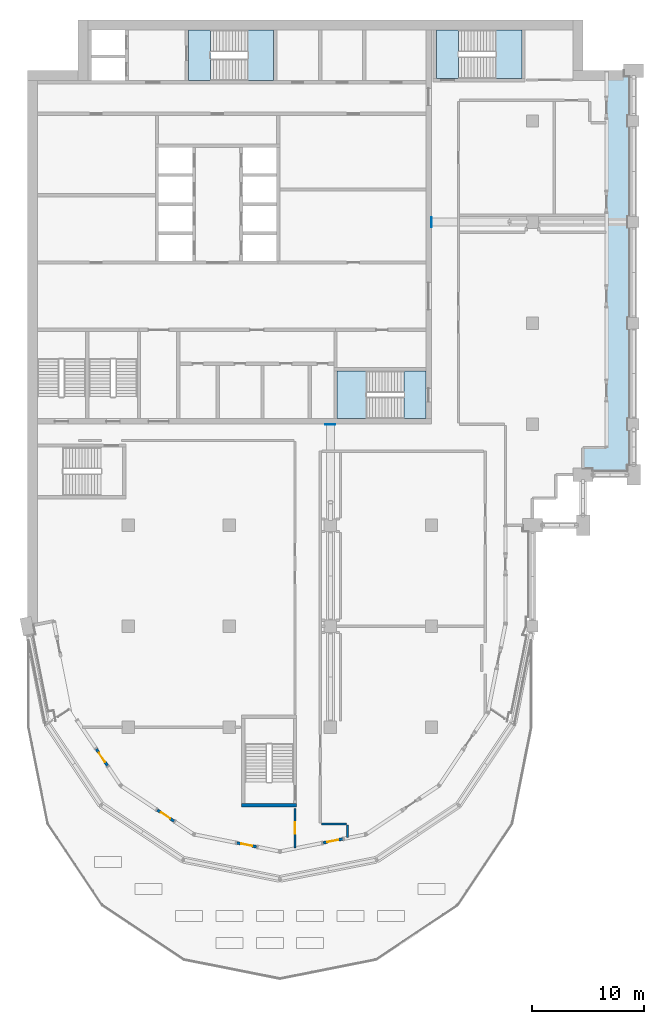
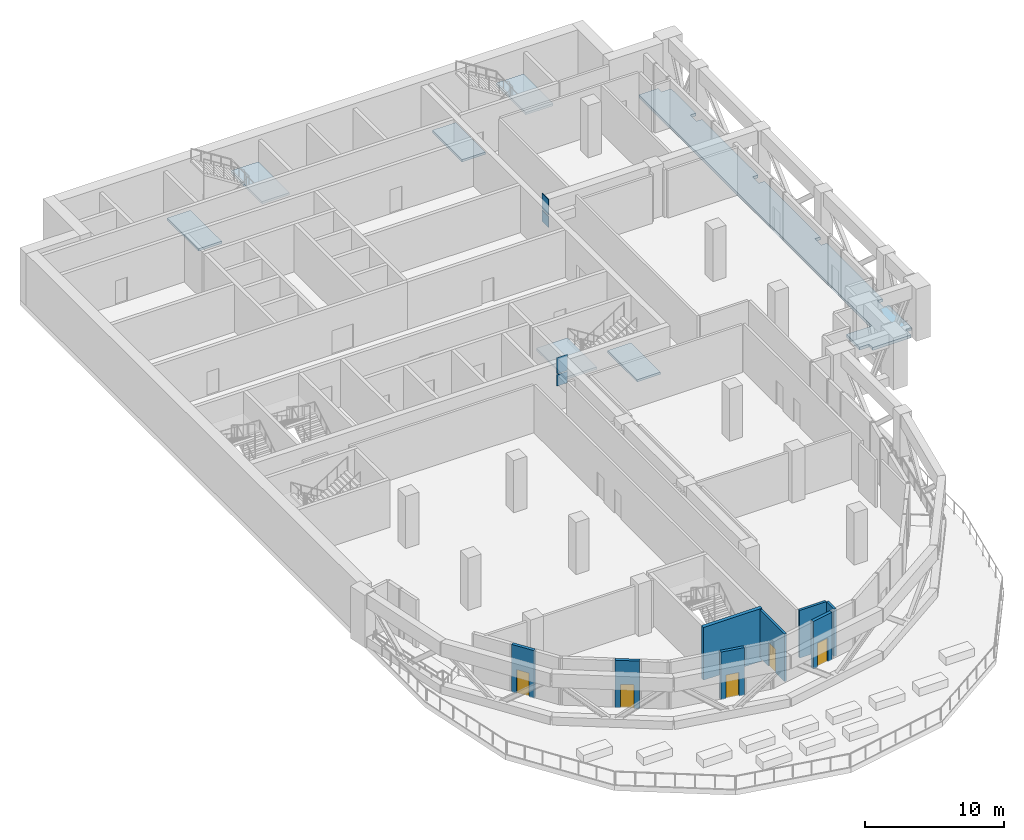
# One storey, part 5 of 16: 8 walls, 7 slabs, 5 doors, 4 plates, 5 openings, 3 elements without a shape of their own.
"""IFC4 building model written with IfcOpenShell, lengths in metres."""

import ifcopenshell
import ifcopenshell.guid

model = None  # the IFC model being written
_history = None  # IfcOwnerHistory: only IFC2X3 demands one
_inside = {}  # id of a spatial element -> (the spatial element, [elements in it])
_under = {}  # id of a project, library or spatial element -> (it, [spatial elements below it])
_declared = {}  # id of a project -> (the project, [libraries it declares])
_typed = {}  # id of a type object -> (the type object, [elements of that type])
_made_of = {}  # id of a material, layer set ... -> (it, [elements and type objects made of it])


def new_model(schema):
    """Start an empty IFC model of exactly this schema.

    Asked for "IFC4X3", IfcOpenShell would pick the latest addendum, in which some entities
    have other attributes; the version numbers below select the first issue.
    IFC2X3 requires an IfcOwnerHistory on every rooted entity: one is made here for all.
    """
    global model, _history
    if schema == "IFC4X3":
        model = ifcopenshell.file(schema_version=(4, 3, 0, 0))
    else:
        model = ifcopenshell.file(schema=schema)
    _inside.clear()
    _under.clear()
    _declared.clear()
    _typed.clear()
    _made_of.clear()
    _history = None
    if model.schema == "IFC2X3":
        org = make("IfcOrganization", Name="unknown")
        user = make(
            "IfcPersonAndOrganization",
            ThePerson=make("IfcPerson", FamilyName="unknown"),
            TheOrganization=org,
        )
        app = make(
            "IfcApplication",
            ApplicationDeveloper=org,
            Version="unknown",
            ApplicationFullName="unknown",
            ApplicationIdentifier="unknown",
        )
        _history = make(
            "IfcOwnerHistory",
            OwningUser=user,
            OwningApplication=app,
            ChangeAction="ADDED",
            CreationDate=0,
        )
    return model


def make(cls, **values):
    """One entity of the class cls with the attributes given. An attribute that is None is left unset."""
    return model.create_entity(
        cls, **{name: value for name, value in values.items() if value is not None}
    )


def rooted(cls, **values):
    """An entity with a GlobalId (a new one), such as an element, a storey or a relation."""
    return make(cls, GlobalId=ifcopenshell.guid.new(), OwnerHistory=_history, **values)


def si_unit(unit_type, name, prefix=None):
    """IfcSIUnit, for example si_unit("LENGTHUNIT", "METRE", prefix="MILLI")."""
    return make("IfcSIUnit", UnitType=unit_type, Prefix=prefix, Name=name)


def assignment(units):
    """IfcUnitAssignment: the units of a project."""
    return None if units is None else make("IfcUnitAssignment", Units=units)


def point(xyz):
    """IfcCartesianPoint."""
    return None if xyz is None else make("IfcCartesianPoint", Coordinates=xyz)


def direction(xyz):
    """IfcDirection."""
    return None if xyz is None else make("IfcDirection", DirectionRatios=xyz)


def frame(location, z_axis=None, x_axis=None):
    """IfcAxis2Placement3D, a coordinate frame: its origin and axes. An axis left out is left unset."""
    return make(
        "IfcAxis2Placement3D",
        Location=point(location),
        Axis=direction(z_axis),
        RefDirection=direction(x_axis),
    )


def frame_2d(location, x_axis=None):
    """IfcAxis2Placement2D, a coordinate frame in the plane: its origin and x axis."""
    return make(
        "IfcAxis2Placement2D", Location=point(location), RefDirection=direction(x_axis)
    )


def origin():
    """The frame at (0, 0, 0) with its axes left unset."""
    return frame((0.0, 0.0, 0.0))


def origin_2d():
    """The frame at (0, 0) in the plane with its x axis left unset."""
    return frame_2d((0.0, 0.0))


def place(relative_to, where):
    """IfcLocalPlacement: puts the frame where relative to a parent placement (None: the world)."""
    return make(
        "IfcLocalPlacement", PlacementRelTo=relative_to, RelativePlacement=where
    )


def context(
    kind, dimensions, precision=None, world=None, true_north=None, identifier=None
):
    """IfcGeometricRepresentationContext, for example the 3D "Model" context."""
    return make(
        "IfcGeometricRepresentationContext",
        ContextIdentifier=identifier,
        ContextType=kind,
        CoordinateSpaceDimension=dimensions,
        Precision=precision,
        WorldCoordinateSystem=world,
        TrueNorth=true_north,
    )


def subcontext(parent, identifier, kind, view, scale=None):
    """IfcGeometricRepresentationSubContext, for example "Body" below "Model"."""
    return make(
        "IfcGeometricRepresentationSubContext",
        ContextIdentifier=identifier,
        ContextType=kind,
        ParentContext=parent,
        TargetScale=scale,
        TargetView=view,
    )


def project(units=None, contexts=None):
    """IfcProject with its units and contexts."""
    return rooted(
        "IfcProject",
        Name="project",
        RepresentationContexts=contexts,
        UnitsInContext=assignment(units),
    )


def spatial(cls, under=None, at=None, **own):
    """A site, building, storey or space (cls), placed at a placement, below another one or the project."""
    s = rooted(cls, ObjectPlacement=at, **own)
    if under is not None:
        _under.setdefault(under.id(), (under, []))[1].append(s)
    return s


def polyline(points):
    """IfcPolyline through the points."""
    return make("IfcPolyline", Points=[point(p) for p in points])


def profile(cls, at=None, kind="AREA", **sizes):
    """A parametric profile (cls). Its sizes go by their IFC names, for example OverallWidth=200.0."""
    return make(cls, ProfileType=kind, Position=at, **sizes)


def rectangle(**sizes):
    """IfcRectangleProfileDef."""
    return profile("IfcRectangleProfileDef", **sizes)


def outline(outer, holes=None, kind="AREA"):
    """IfcArbitraryClosedProfileDef: a profile drawn as a closed curve; with holes, ...WithVoids."""
    if holes is None:
        return make("IfcArbitraryClosedProfileDef", ProfileType=kind, OuterCurve=outer)
    return make(
        "IfcArbitraryProfileDefWithVoids",
        ProfileType=kind,
        OuterCurve=outer,
        InnerCurves=holes,
    )


def extrude(swept, where, along, depth):
    """IfcExtrudedAreaSolid: the profile swept, set in the frame where, extruded along a direction by depth."""
    return make(
        "IfcExtrudedAreaSolid",
        SweptArea=swept,
        Position=where,
        ExtrudedDirection=direction(along),
        Depth=depth,
    )


def shape(context_of_items, identifier, shape_type, items):
    """IfcShapeRepresentation: the items that make up one representation, for example the "Body"."""
    return make(
        "IfcShapeRepresentation",
        ContextOfItems=context_of_items,
        RepresentationIdentifier=identifier,
        RepresentationType=shape_type,
        Items=items,
    )


def material(Name=None, Category=None):
    """IfcMaterial."""
    return make("IfcMaterial", Name=Name, Category=Category)


def layer(
    of_material, thickness, ventilated=None, Name=None, Category=None, Priority=None
):
    """IfcMaterialLayer: one layer of a wall or slab, of a material (None: an air gap)."""
    return make(
        "IfcMaterialLayer",
        Material=of_material,
        LayerThickness=thickness,
        IsVentilated=ventilated,
        Name=Name,
        Category=Category,
        Priority=Priority,
    )


def layer_set(layers, Name=None):
    """IfcMaterialLayerSet."""
    return make("IfcMaterialLayerSet", MaterialLayers=layers, LayerSetName=Name)


def made_of(thing, what):
    """Note that an element or type object is made of a material, layer set ...; save() writes the relation."""
    if what is not None:
        _made_of.setdefault(what.id(), (what, []))[1].append(thing)
    return thing


def type_object(cls, material=None, **own):
    """A type object (cls), such as IfcWallType, which elements share."""
    return made_of(rooted(cls, **own), material)


def element(
    cls,
    number,
    at=None,
    inside=None,
    cuts=None,
    type_object=None,
    material=None,
    context=None,
    identifier="Body",
    shape_type=None,
    held_by="IfcProductDefinitionShape",
    body=None,
    shapes=None,
    **own,
):
    """One element of the class cls, such as IfcWall. Its Tag is "e" and its number.

    at: its placement. inside: the storey or other place that contains it. cuts: it is an
    opening in that element (IfcRelVoidsElement). A single representation is given by context,
    identifier, shape_type and body (its items); several are given by shapes. held_by: the class
    of the entity that holds the representations. save() writes the other relations.
    """
    e = rooted(cls, Tag="e%d" % number, ObjectPlacement=at, **own)
    if body is not None:
        shapes = [shape(context, identifier, shape_type, body)]
    if shapes is not None:
        e.Representation = make(held_by, Representations=shapes)
    if inside is not None:
        _inside.setdefault(inside.id(), (inside, []))[1].append(e)
    if cuts is not None:
        rooted(
            "IfcRelVoidsElement", RelatingBuildingElement=cuts, RelatedOpeningElement=e
        )
    if type_object is not None:
        _typed.setdefault(type_object.id(), (type_object, []))[1].append(e)
    return made_of(e, material)


def fill(opening, filler):
    """IfcRelFillsElement: the door or window that sits in an opening."""
    return rooted(
        "IfcRelFillsElement",
        RelatingOpeningElement=opening,
        RelatedBuildingElement=filler,
    )


def aggregate(whole, parts):
    """IfcRelAggregates: a whole, such as a stair, and the parts it consists of."""
    return rooted("IfcRelAggregates", RelatingObject=whole, RelatedObjects=parts)


def save(model, path):
    """Write the relations noted so far, then the file.

    IfcRelAggregates (storeys below a building ...), IfcRelContainedInSpatialStructure (elements
    in a storey), IfcRelDefinesByType, IfcRelAssociatesMaterial and IfcRelDeclares: one each for
    every whole, place, type object, material and project.
    """
    for whole, parts in _under.values():
        aggregate(whole, parts)
    for where, things in _inside.values():
        rooted(
            "IfcRelContainedInSpatialStructure",
            RelatedElements=things,
            RelatingStructure=where,
        )
    for kind, things in _typed.values():
        rooted("IfcRelDefinesByType", RelatedObjects=things, RelatingType=kind)
    for what, things in _made_of.values():
        rooted("IfcRelAssociatesMaterial", RelatedObjects=things, RelatingMaterial=what)
    for by, libraries in _declared.values():
        rooted("IfcRelDeclares", RelatingContext=by, RelatedDefinitions=libraries)
    model.write(path)


model = new_model("IFC4")

# Units and contexts
model_context = context("Model", 3, precision=1e-05, world=origin(), true_north=direction((0.0, 1.0)))
body_context = subcontext(model_context, "Body", "Model", "MODEL_VIEW")
ifc_project = project(units=[si_unit("LENGTHUNIT", "METRE"), si_unit("AREAUNIT", "SQUARE_METRE"), si_unit("VOLUMEUNIT", "CUBIC_METRE"), si_unit("PLANEANGLEUNIT", "RADIAN"), si_unit("MASSUNIT", "GRAM", prefix="KILO")], contexts=[model_context])

# Site, building, storey
site_placement = place(None, origin())
site = spatial("IfcSite", under=ifc_project, at=site_placement, CompositionType="ELEMENT")
building_placement = place(site_placement, origin())
building = spatial("IfcBuilding", under=site, at=building_placement, Name="Hunhe Ridgeline Campus", CompositionType="ELEMENT")
storey_placement = place(building_placement, frame((0.0, 0.0, 227.199951171875)))
storey = spatial("IfcBuildingStorey", under=building, at=storey_placement, Name="L58", CompositionType="ELEMENT", Elevation=227.199951171875)

# Plates
ifc_material_1 = material(Name="Steel Q420", Category="steel")
ifc_layer_1 = layer(ifc_material_1, 0.0400390625)
ifc_layer_set_1 = layer_set([ifc_layer_1], Name="Cast-in plate 900x1000x40 Steel Q420")
plate_type_1 = type_object("IfcPlateType", Name="Cast-in plate 900x1000x40 Steel Q420", PredefinedType="SHEET", material=ifc_layer_set_1)
for number, where, z_axis, x_axis, name in (
    (1, (36.02001953125, 81.0, 2.199951171875), (0.0, 0.0, 1.0), (1.0, 0.0, 0.0), "Cast-in plate OR1 bottom chord L58"),
    (2, (27.0, 62.97998046875, 2.199951171875), (0.0, 0.0, 1.0), (0.0, -1.0, 0.0), "Cast-in plate OR2 bottom chord L58"),
):
    element("IfcPlate", number, at=place(storey_placement, frame(where, z_axis=z_axis, x_axis=x_axis)), inside=storey, type_object=plate_type_1, Name=name, PredefinedType="SHEET", context=body_context, shape_type="SweptSolid", body=[
        extrude(rectangle(XDim=0.0400390625, YDim=0.89990234375, at=origin_2d()), origin(), (0.0, 0.0, 1.0), 1.0),
    ])
ifc_layer_2 = layer(ifc_material_1, 0.0400390625)
ifc_layer_set_2 = layer_set([ifc_layer_2], Name="Cast-in plate 900x1400x40 Steel Q420")
plate_type_2 = type_object("IfcPlateType", Name="Cast-in plate 900x1400x40 Steel Q420", PredefinedType="SHEET", material=ifc_layer_set_2)
for number, where, z_axis, x_axis, name in (
    (3, (36.02001953125, 81.0, 3.300048828125), (0.0, 0.0, 1.0), (1.0, 0.0, 0.0), "Cast-in plate OR1 top chord L58"),
    (4, (27.0, 62.97998046875, 3.300048828125), (0.0, 0.0, 1.0), (0.0, -1.0, 0.0), "Cast-in plate OR2 top chord L58"),
):
    element("IfcPlate", number, at=place(storey_placement, frame(where, z_axis=z_axis, x_axis=x_axis)), inside=storey, type_object=plate_type_2, Name=name, PredefinedType="SHEET", context=body_context, shape_type="SweptSolid", body=[
        extrude(rectangle(XDim=0.0400390625, YDim=0.89990234375, at=origin_2d()), origin(), (0.0, 0.0, 1.0), 1.39990234375),
    ])

# Slab
ifc_material_2 = material(Name="Concrete C40", Category="concrete")
ifc_layer_3 = layer(ifc_material_2, 0.25)
ifc_layer_set_3 = layer_set([ifc_layer_3], Name="Loggia slab 250 Concrete C40")
slab_type_1 = type_object("IfcSlabType", Name="Loggia slab 250 Concrete C40", PredefinedType="FLOOR", material=ifc_layer_set_3)
slab_1_placement = place(storey_placement, frame((0.0, 0.0, -0.25)))
element("IfcSlab", 5, at=slab_1_placement, inside=storey, type_object=slab_type_1, Name="Loggia slab 3", PredefinedType="FLOOR", context=body_context, shape_type="SweptSolid", body=[
    extrude(outline(polyline([(49.5, 60.89990234375), (49.5, 59.0), (50.300048828125, 59.0), (50.300048828125, 58.5), (53.5, 58.5), (53.5, 59.300048828125), (54.0, 59.300048828125), (54.0, 62.550048828125), (53.550048828125, 62.550048828125), (53.550048828125, 63.449951171875), (54.0, 63.449951171875), (54.0, 71.550048828125), (53.550048828125, 71.550048828125), (53.550048828125, 72.449951171875), (54.0, 72.449951171875), (54.0, 80.550048828125), (53.550048828125, 80.550048828125), (53.550048828125, 81.449951171875), (54.0, 81.449951171875), (54.0, 89.550048828125), (53.550048828125, 89.550048828125), (53.550048828125, 90.449951171875), (54.0, 90.449951171875), (54.0, 94.0), (53.199951171875, 94.0), (53.199951171875, 94.5), (51.60009765625, 94.5), (51.60009765625, 60.89990234375), (49.5, 60.89990234375)])), origin(), (0.0, 0.0, 1.0), 0.25),
])

# Stair, slab
stair_type = type_object("IfcStairType", Name="Reinforced concrete dog-leg stair 1950 Concrete C40", PredefinedType="HALF_TURN_STAIR", material=ifc_material_2)
stair_1_placement = place(storey_placement, origin())
stair_1 = element("IfcStair", 6, at=stair_1_placement, inside=storey, type_object=stair_type, Name="L58 S1", PredefinedType="HALF_TURN_STAIR")
ifc_layer_4 = layer(ifc_material_2, 0.199951171875)
ifc_layer_set_4 = layer_set([ifc_layer_4], Name="Reinforced concrete stair landing 200 Concrete C40")
slab_type_2 = type_object("IfcSlabType", Name="Reinforced concrete stair landing 200 Concrete C40", PredefinedType="LANDING", material=ifc_layer_set_4)
slab_2_placement = place(storey_placement, frame((0.0, 0.0, 2.10009765625)))
slab_2 = element("IfcSlab", 7, at=slab_2_placement, type_object=slab_type_2, Name="ST1 landing 1", PredefinedType="LANDING", context=body_context, shape_type="SweptSolid", body=[
    extrude(outline(polyline([(19.659912109375, 93.60009765625), (21.949951171875, 93.60009765625), (21.949951171875, 98.10009765625), (19.659912109375, 98.10009765625), (19.659912109375, 93.60009765625)])), origin(), (0.0, 0.0, 1.0), 0.199951171875),
])
aggregate(stair_1, [slab_2])

# Slab
slab_3_placement = place(storey_placement, frame((0.0, 0.0, -0.199951171875)))
element("IfcSlab", 8, at=slab_3_placement, inside=storey, type_object=slab_type_2, Name="L58 stair S1 floor landing", PredefinedType="LANDING", context=body_context, shape_type="SweptSolid", body=[
    extrude(outline(polyline([(14.35009765625, 93.60009765625), (16.300048828125, 93.60009765625), (16.300048828125, 98.10009765625), (14.35009765625, 98.10009765625), (14.35009765625, 93.60009765625)])), origin(), (0.0, 0.0, 1.0), 0.199951171875),
])

# Stair, slab
stair_2_placement = place(storey_placement, origin())
stair_2 = element("IfcStair", 9, at=stair_2_placement, inside=storey, type_object=stair_type, Name="L58 S2", PredefinedType="HALF_TURN_STAIR")
slab_4_placement = place(storey_placement, frame((0.0, 0.0, 2.10009765625)))
slab_4 = element("IfcSlab", 10, at=slab_4_placement, type_object=slab_type_2, Name="ST2 landing 1", PredefinedType="LANDING", context=body_context, shape_type="SweptSolid", body=[
    extrude(outline(polyline([(30.18994140625, 67.75), (27.60009765625, 67.75), (27.60009765625, 63.5), (30.18994140625, 63.5), (30.18994140625, 67.75)])), origin(), (0.0, 0.0, 1.0), 0.199951171875),
])
aggregate(stair_2, [slab_4])

# Slab
slab_5_placement = place(storey_placement, frame((0.0, 0.0, -0.199951171875)))
element("IfcSlab", 11, at=slab_5_placement, inside=storey, type_object=slab_type_2, Name="L58 stair S2 floor landing", PredefinedType="LANDING", context=body_context, shape_type="SweptSolid", body=[
    extrude(outline(polyline([(35.5, 67.75), (33.550048828125, 67.75), (33.550048828125, 63.5), (35.5, 63.5), (35.5, 67.75)])), origin(), (0.0, 0.0, 1.0), 0.199951171875),
])

# Stair, slab
stair_3_placement = place(storey_placement, origin())
stair_3 = element("IfcStair", 12, at=stair_3_placement, inside=storey, type_object=stair_type, Name="L58 E1", PredefinedType="HALF_TURN_STAIR")
slab_6_placement = place(storey_placement, frame((0.0, 0.0, 2.10009765625)))
slab_6 = element("IfcSlab", 13, at=slab_6_placement, type_object=slab_type_2, Name="ST5 landing 1", PredefinedType="LANDING", context=body_context, shape_type="SweptSolid", body=[
    extrude(outline(polyline([(41.760009765625, 93.800048828125), (44.050048828125, 93.800048828125), (44.050048828125, 98.10009765625), (41.760009765625, 98.10009765625), (41.760009765625, 93.800048828125)])), origin(), (0.0, 0.0, 1.0), 0.199951171875),
])
aggregate(stair_3, [slab_6])

# Slab
slab_7_placement = place(storey_placement, frame((0.0, 0.0, -0.199951171875)))
element("IfcSlab", 14, at=slab_7_placement, inside=storey, type_object=slab_type_2, Name="L58 stair E1 floor landing", PredefinedType="LANDING", context=body_context, shape_type="SweptSolid", body=[
    extrude(outline(polyline([(36.449951171875, 93.800048828125), (38.39990234375, 93.800048828125), (38.39990234375, 98.10009765625), (36.449951171875, 98.10009765625), (36.449951171875, 93.800048828125)])), origin(), (0.0, 0.0, 1.0), 0.199951171875),
])

# Wall
ifc_material_3 = material(Name="Gypsum board partition")
ifc_layer_5 = layer(ifc_material_3, 0.199951171875)
ifc_layer_set_5 = layer_set([ifc_layer_5], Name="Corridor partition 200 gypsum board on steel studs")
wall_type_1 = type_object("IfcWallType", Name="Corridor partition 200 gypsum board on steel studs", PredefinedType="PARTITIONING", material=ifc_layer_set_5)
wall_1_placement = place(storey_placement, frame((26.199951171875, 27.386962890625, 0.0), z_axis=(0.0, 0.0, 1.0), x_axis=(1.0, 0.0, 0.0)))
element("IfcWall", 15, at=wall_1_placement, inside=storey, type_object=wall_type_1, Name="F-L58-wall-001", PredefinedType="PARTITIONING", context=body_context, shape_type="SweptSolid", body=[
    extrude(rectangle(XDim=2.219970703125, YDim=0.199951171875, at=frame_2d((1.10986328125, 0.0))), origin(), (0.0, 0.0, 1.0), 4.199951171875),
])

# Wall, opening, door
wall_2_placement = place(storey_placement, frame((23.85009765625, 25.271728515625, 0.0), z_axis=(0.0, 0.0, 1.0), x_axis=(0.0, 1.0, 0.0)))
wall_2 = element("IfcWall", 16, at=wall_2_placement, inside=storey, type_object=wall_type_1, Name="F-L58-wall-027", PredefinedType="PARTITIONING", context=body_context, shape_type="SweptSolid", body=[
    extrude(rectangle(XDim=3.524169921875, YDim=0.199951171875, at=frame_2d((1.76220703125, 0.0))), origin(), (0.0, 0.0, 1.0), 4.199951171875),
])
opening_1_placement = place(wall_2_placement, frame((1.26220703125, 0.0, 0.0)))
opening_1 = element("IfcOpeningElement", 17, at=opening_1_placement, cuts=wall_2, Name="Opening RD1-001", PredefinedType="OPENING", context=body_context, shape_type="SweptSolid", body=[
    extrude(rectangle(XDim=1.0, YDim=2.10009765625, at=frame_2d((0.5, 1.050048828125))), frame((0.0, 0.10009765625, 0.0), z_axis=(0.0, -1.0, 0.0), x_axis=(1.0, 0.0, 0.0)), (0.0, 0.0, 1.0), 0.199951171875),
])
ifc_material_4 = material(Name="Timber door leaf", Category="wood")
door_type_1 = type_object("IfcDoorType", Name="Single fire door 1000x2100 timber FD60", OperationType="NOTDEFINED", PredefinedType="DOOR", material=ifc_material_4)
door_1_placement = place(opening_1_placement, frame((1.0, 0.0, 0.0), z_axis=(0.0, 0.0, 1.0), x_axis=(-1.0, 0.0, 0.0)))
door_1 = element("IfcDoor", 18, at=door_1_placement, inside=storey, type_object=door_type_1, Name="F-L58-door-001", OperationType="SINGLE_SWING_LEFT", OverallHeight=2.10009765625, OverallWidth=1.0, PredefinedType="DOOR", context=body_context, shape_type="SweptSolid", body=[
    extrude(rectangle(XDim=1.0, YDim=2.10009765625, at=frame_2d((0.5, 1.050048828125))), frame((0.0, 0.02490234375, 0.0), z_axis=(0.0, -1.0, 0.0), x_axis=(1.0, 0.0, 0.0)), (0.0, 0.0, 1.0), 0.050048828125),
])
fill(opening_1, door_1)

# Wall
wall_3_placement = place(storey_placement, frame((28.52001953125, 27.287109375, 0.0), z_axis=(0.0, 0.0, 1.0), x_axis=(0.0, -1.0, 0.0)))
element("IfcWall", 19, at=wall_3_placement, inside=storey, type_object=wall_type_1, Name="F-L58-wall-032", PredefinedType="PARTITIONING", context=body_context, shape_type="SweptSolid", body=[
    extrude(rectangle(XDim=1.086669921875, YDim=0.199951171875, at=frame_2d((0.54345703125, 0.0))), origin(), (0.0, 0.0, 1.0), 4.199951171875),
])

# Wall, opening, door
ifc_material_5 = material(Name="Concrete C30", Category="concrete")
ifc_layer_6 = layer(ifc_material_5, 0.25)
ifc_layer_set_6 = layer_set([ifc_layer_6], Name="Loggia door pier wall 250 Concrete C30")
wall_type_2 = type_object("IfcWallType", Name="Loggia door pier wall 250 Concrete C30", PredefinedType="SOLIDWALL", material=ifc_layer_set_6)
wall_4_placement = place(storey_placement, frame((6.147705078125, 34.07373046875, 0.0), z_axis=(0.0, 0.0, 1.0), x_axis=(0.555576323502, -0.83146554274, 0.0)))
wall_4 = element("IfcWall", 20, at=wall_4_placement, inside=storey, type_object=wall_type_2, Name="Loggia door pier 2", PredefinedType="SOLIDWALL", context=body_context, shape_type="SweptSolid", body=[
    extrude(rectangle(XDim=1.800048828125, YDim=0.25, at=frame_2d((0.89990234375, 0.0))), origin(), (0.0, 0.0, 1.0), 4.199951171875),
])
opening_2_placement = place(wall_4_placement, frame((0.39990234375, 0.0, 0.0)))
opening_2 = element("IfcOpeningElement", 21, at=opening_2_placement, cuts=wall_4, Name="Opening BR502", PredefinedType="OPENING", context=body_context, shape_type="SweptSolid", body=[
    extrude(rectangle(XDim=1.0, YDim=2.10009765625, at=frame_2d((0.5, 1.050048828125))), frame((0.0, 0.125, 0.0), z_axis=(0.0, -1.0, 0.0), x_axis=(1.0, 0.0, 0.0)), (0.0, 0.0, 1.0), 0.25),
])
ifc_material_6 = material(Name="Aluminium 6063", Category="aluminium")
door_type_2 = type_object("IfcDoorType", Name="Loggia glazed door 1000x2100", OperationType="NOTDEFINED", PredefinedType="DOOR", material=ifc_material_6)
door_2_placement = place(opening_2_placement, frame((1.0, 0.0, 0.0), z_axis=(0.0, 0.0, 1.0), x_axis=(-1.0, 0.0, 0.0)))
door_2 = element("IfcDoor", 22, at=door_2_placement, inside=storey, type_object=door_type_2, Name="Loggia door BR502", OperationType="SINGLE_SWING_LEFT", OverallHeight=2.10009765625, OverallWidth=1.0, PredefinedType="DOOR", context=body_context, shape_type="SweptSolid", body=[
    extrude(rectangle(XDim=1.0, YDim=2.10009765625, at=frame_2d((0.5, 1.050048828125))), frame((0.0, 0.02490234375, 0.0), z_axis=(0.0, -1.0, 0.0), x_axis=(1.0, 0.0, 0.0)), (0.0, 0.0, 1.0), 0.050048828125),
])
fill(opening_2, door_2)

wall_5_placement = place(storey_placement, frame((11.57373046875, 28.647705078125, 0.0), z_axis=(0.0, 0.0, 1.0), x_axis=(0.83146554274, -0.555576323502, 0.0)))
wall_5 = element("IfcWall", 23, at=wall_5_placement, inside=storey, type_object=wall_type_2, Name="Loggia door pier 3", PredefinedType="SOLIDWALL", context=body_context, shape_type="SweptSolid", body=[
    extrude(rectangle(XDim=1.800048828125, YDim=0.25, at=frame_2d((0.89990234375, 0.0))), origin(), (0.0, 0.0, 1.0), 4.199951171875),
])
opening_3_placement = place(wall_5_placement, frame((0.39990234375, 0.0, 0.0)))
opening_3 = element("IfcOpeningElement", 24, at=opening_3_placement, cuts=wall_5, Name="Opening BR503", PredefinedType="OPENING", context=body_context, shape_type="SweptSolid", body=[
    extrude(rectangle(XDim=1.0, YDim=2.10009765625, at=frame_2d((0.5, 1.050048828125))), frame((0.0, 0.125, 0.0), z_axis=(0.0, -1.0, 0.0), x_axis=(1.0, 0.0, 0.0)), (0.0, 0.0, 1.0), 0.25),
])
door_3_placement = place(opening_3_placement, frame((1.0, 0.0, 0.0), z_axis=(0.0, 0.0, 1.0), x_axis=(-1.0, 0.0, 0.0)))
door_3 = element("IfcDoor", 25, at=door_3_placement, inside=storey, type_object=door_type_2, Name="Loggia door BR503", OperationType="SINGLE_SWING_RIGHT", OverallHeight=2.10009765625, OverallWidth=1.0, PredefinedType="DOOR", context=body_context, shape_type="SweptSolid", body=[
    extrude(rectangle(XDim=1.0, YDim=2.10009765625, at=frame_2d((0.5, 1.050048828125))), frame((0.0, 0.02490234375, 0.0), z_axis=(0.0, -1.0, 0.0), x_axis=(1.0, 0.0, 0.0)), (0.0, 0.0, 1.0), 0.050048828125),
])
fill(opening_3, door_3)

wall_6_placement = place(storey_placement, frame((18.663330078125, 25.711181640625, 0.0), z_axis=(0.0, 0.0, 1.0), x_axis=(0.980793982239, -0.195046569833, 0.0)))
wall_6 = element("IfcWall", 26, at=wall_6_placement, inside=storey, type_object=wall_type_2, Name="Loggia door pier 4", PredefinedType="SOLIDWALL", context=body_context, shape_type="SweptSolid", body=[
    extrude(rectangle(XDim=1.800048828125, YDim=0.25, at=frame_2d((0.89990234375, 0.0))), origin(), (0.0, 0.0, 1.0), 4.199951171875),
])
opening_4_placement = place(wall_6_placement, frame((0.39990234375, 0.0, 0.0)))
opening_4 = element("IfcOpeningElement", 27, at=opening_4_placement, cuts=wall_6, Name="Opening BR504", PredefinedType="OPENING", context=body_context, shape_type="SweptSolid", body=[
    extrude(rectangle(XDim=1.0, YDim=2.10009765625, at=frame_2d((0.5, 1.050048828125))), frame((0.0, 0.125, 0.0), z_axis=(0.0, -1.0, 0.0), x_axis=(1.0, 0.0, 0.0)), (0.0, 0.0, 1.0), 0.25),
])
door_4_placement = place(opening_4_placement, frame((1.0, 0.0, 0.0), z_axis=(0.0, 0.0, 1.0), x_axis=(-1.0, 0.0, 0.0)))
door_4 = element("IfcDoor", 28, at=door_4_placement, inside=storey, type_object=door_type_2, Name="Loggia door BR504", OperationType="SINGLE_SWING_LEFT", OverallHeight=2.10009765625, OverallWidth=1.0, PredefinedType="DOOR", context=body_context, shape_type="SweptSolid", body=[
    extrude(rectangle(XDim=1.0, YDim=2.10009765625, at=frame_2d((0.5, 1.050048828125))), frame((0.0, 0.02490234375, 0.0), z_axis=(0.0, -1.0, 0.0), x_axis=(1.0, 0.0, 0.0)), (0.0, 0.0, 1.0), 0.050048828125),
])
fill(opening_4, door_4)

wall_7_placement = place(storey_placement, frame((26.336669921875, 25.711181640625, 0.0), z_axis=(0.0, 0.0, 1.0), x_axis=(0.98077319256, 0.195151081871, 0.0)))
wall_7 = element("IfcWall", 29, at=wall_7_placement, inside=storey, type_object=wall_type_2, Name="Loggia door pier 5", PredefinedType="SOLIDWALL", context=body_context, shape_type="SweptSolid", body=[
    extrude(rectangle(XDim=1.80029296875, YDim=0.25, at=frame_2d((0.900146484375, 0.0))), origin(), (0.0, 0.0, 1.0), 4.199951171875),
])
opening_5_placement = place(wall_7_placement, frame((0.39990234375, 0.0, 0.0)))
opening_5 = element("IfcOpeningElement", 30, at=opening_5_placement, cuts=wall_7, Name="Opening BR505", PredefinedType="OPENING", context=body_context, shape_type="SweptSolid", body=[
    extrude(rectangle(XDim=1.0, YDim=2.10009765625, at=frame_2d((0.5, 1.050048828125))), frame((0.0, 0.125, 0.0), z_axis=(0.0, -1.0, 0.0), x_axis=(1.0, 0.0, 0.0)), (0.0, 0.0, 1.0), 0.25),
])
door_5_placement = place(opening_5_placement, frame((1.0, 0.0, 0.0), z_axis=(0.0, 0.0, 1.0), x_axis=(-1.0, 0.0, 0.0)))
door_5 = element("IfcDoor", 31, at=door_5_placement, inside=storey, type_object=door_type_2, Name="Loggia door BR505", OperationType="SINGLE_SWING_RIGHT", OverallHeight=2.10009765625, OverallWidth=1.0, PredefinedType="DOOR", context=body_context, shape_type="SweptSolid", body=[
    extrude(rectangle(XDim=1.0, YDim=2.10009765625, at=frame_2d((0.5, 1.050048828125))), frame((0.0, 0.02490234375, 0.0), z_axis=(0.0, -1.0, 0.0), x_axis=(1.0, 0.0, 0.0)), (0.0, 0.0, 1.0), 0.050048828125),
])
fill(opening_5, door_5)

# Wall
ifc_material_7 = material(Name="Concrete C50", Category="concrete")
ifc_layer_7 = layer(ifc_material_7, 0.300048828125)
ifc_layer_set_7 = layer_set([ifc_layer_7], Name="Stair wall 300 reinforced concrete C50")
wall_type_3 = type_object("IfcWallType", Name="Stair wall 300 reinforced concrete C50", PredefinedType="SOLIDWALL", material=ifc_layer_set_7)
wall_8_placement = place(storey_placement, frame((19.10009765625, 29.050048828125, -0.449951171875), z_axis=(0.0, 0.0, 1.0), x_axis=(1.0, 0.0, 0.0)))
element("IfcWall", 32, at=wall_8_placement, inside=storey, type_object=wall_type_3, Name="L58 core wall 1", PredefinedType="SOLIDWALL", context=body_context, shape_type="SweptSolid", body=[
    extrude(rectangle(XDim=4.89990234375, YDim=0.300048828125, at=frame_2d((2.449951171875, 0.0))), origin(), (0.0, 0.0, 1.0), 4.64990234375),
])

save(model, "model.ifc")
